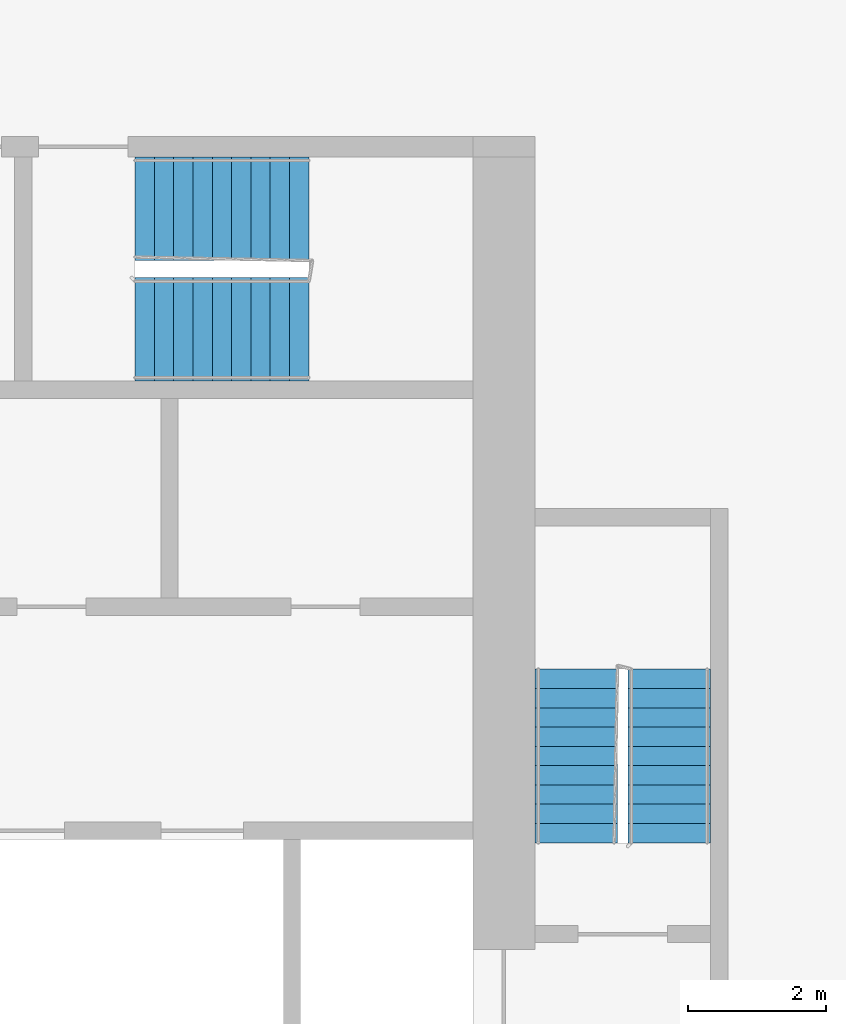
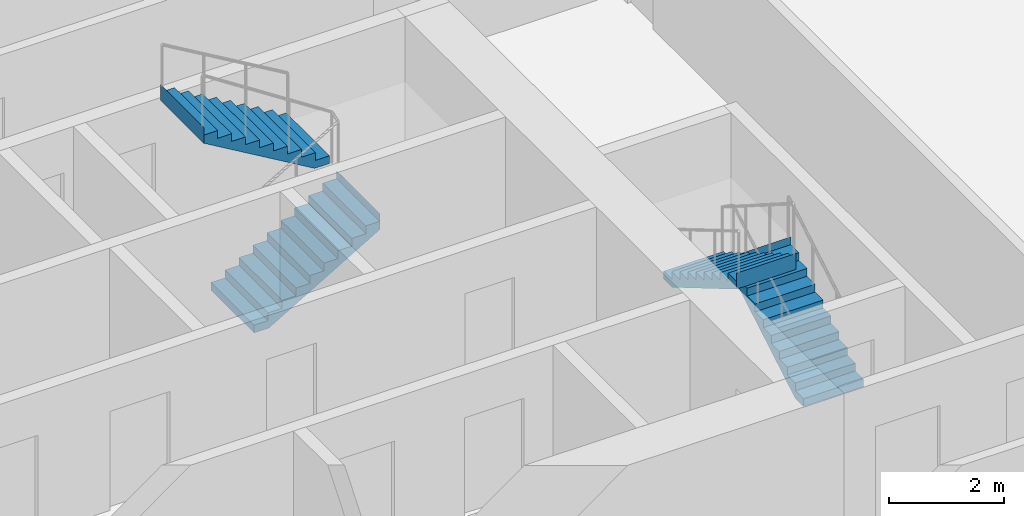
# One storey, part 10 of 11: 4 stair flights, 2 elements without a shape of their own.
"""IFC4 building model written with IfcOpenShell, lengths in metres."""

import ifcopenshell
import ifcopenshell.guid

model = None  # the IFC model being written
_history = None  # IfcOwnerHistory: only IFC2X3 demands one
_inside = {}  # id of a spatial element -> (the spatial element, [elements in it])
_under = {}  # id of a project, library or spatial element -> (it, [spatial elements below it])
_declared = {}  # id of a project -> (the project, [libraries it declares])
_typed = {}  # id of a type object -> (the type object, [elements of that type])
_made_of = {}  # id of a material, layer set ... -> (it, [elements and type objects made of it])


def new_model(schema):
    """Start an empty IFC model of exactly this schema.

    Asked for "IFC4X3", IfcOpenShell would pick the latest addendum, in which some entities
    have other attributes; the version numbers below select the first issue.
    IFC2X3 requires an IfcOwnerHistory on every rooted entity: one is made here for all.
    """
    global model, _history
    if schema == "IFC4X3":
        model = ifcopenshell.file(schema_version=(4, 3, 0, 0))
    else:
        model = ifcopenshell.file(schema=schema)
    _inside.clear()
    _under.clear()
    _declared.clear()
    _typed.clear()
    _made_of.clear()
    _history = None
    if model.schema == "IFC2X3":
        org = make("IfcOrganization", Name="unknown")
        user = make(
            "IfcPersonAndOrganization",
            ThePerson=make("IfcPerson", FamilyName="unknown"),
            TheOrganization=org,
        )
        app = make(
            "IfcApplication",
            ApplicationDeveloper=org,
            Version="unknown",
            ApplicationFullName="unknown",
            ApplicationIdentifier="unknown",
        )
        _history = make(
            "IfcOwnerHistory",
            OwningUser=user,
            OwningApplication=app,
            ChangeAction="ADDED",
            CreationDate=0,
        )
    return model


def make(cls, **values):
    """One entity of the class cls with the attributes given. An attribute that is None is left unset."""
    return model.create_entity(
        cls, **{name: value for name, value in values.items() if value is not None}
    )


def rooted(cls, **values):
    """An entity with a GlobalId (a new one), such as an element, a storey or a relation."""
    return make(cls, GlobalId=ifcopenshell.guid.new(), OwnerHistory=_history, **values)


def si_unit(unit_type, name, prefix=None):
    """IfcSIUnit, for example si_unit("LENGTHUNIT", "METRE", prefix="MILLI")."""
    return make("IfcSIUnit", UnitType=unit_type, Prefix=prefix, Name=name)


def assignment(units):
    """IfcUnitAssignment: the units of a project."""
    return None if units is None else make("IfcUnitAssignment", Units=units)


def point(xyz):
    """IfcCartesianPoint."""
    return None if xyz is None else make("IfcCartesianPoint", Coordinates=xyz)


def direction(xyz):
    """IfcDirection."""
    return None if xyz is None else make("IfcDirection", DirectionRatios=xyz)


def frame(location, z_axis=None, x_axis=None):
    """IfcAxis2Placement3D, a coordinate frame: its origin and axes. An axis left out is left unset."""
    return make(
        "IfcAxis2Placement3D",
        Location=point(location),
        Axis=direction(z_axis),
        RefDirection=direction(x_axis),
    )


def origin():
    """The frame at (0, 0, 0) with its axes left unset."""
    return frame((0.0, 0.0, 0.0))


def place(relative_to, where):
    """IfcLocalPlacement: puts the frame where relative to a parent placement (None: the world)."""
    return make(
        "IfcLocalPlacement", PlacementRelTo=relative_to, RelativePlacement=where
    )


def context(
    kind, dimensions, precision=None, world=None, true_north=None, identifier=None
):
    """IfcGeometricRepresentationContext, for example the 3D "Model" context."""
    return make(
        "IfcGeometricRepresentationContext",
        ContextIdentifier=identifier,
        ContextType=kind,
        CoordinateSpaceDimension=dimensions,
        Precision=precision,
        WorldCoordinateSystem=world,
        TrueNorth=true_north,
    )


def subcontext(parent, identifier, kind, view, scale=None):
    """IfcGeometricRepresentationSubContext, for example "Body" below "Model"."""
    return make(
        "IfcGeometricRepresentationSubContext",
        ContextIdentifier=identifier,
        ContextType=kind,
        ParentContext=parent,
        TargetScale=scale,
        TargetView=view,
    )


def project(units=None, contexts=None):
    """IfcProject with its units and contexts."""
    return rooted(
        "IfcProject",
        Name="project",
        RepresentationContexts=contexts,
        UnitsInContext=assignment(units),
    )


def spatial(cls, under=None, at=None, **own):
    """A site, building, storey or space (cls), placed at a placement, below another one or the project."""
    s = rooted(cls, ObjectPlacement=at, **own)
    if under is not None:
        _under.setdefault(under.id(), (under, []))[1].append(s)
    return s


def faces_of(points, faces, orient=None, outer=None):
    """IfcFace entities. A face is a list of loops; a loop is a list of indices into points, from 0.

    orient and outer hold one flag for each loop. By default every Orientation is true, the
    first loop of a face is its IfcFaceOuterBound and the others are IfcFaceBound.
    """
    made = []
    for i, loops in enumerate(faces):
        bounds = []
        for j, loop in enumerate(loops):
            is_outer = j == 0 if outer is None else outer[i][j]
            bounds.append(
                make(
                    "IfcFaceOuterBound" if is_outer else "IfcFaceBound",
                    Bound=make("IfcPolyLoop", Polygon=[points[k] for k in loop]),
                    Orientation=True if orient is None else orient[i][j],
                )
            )
        made.append(make("IfcFace", Bounds=bounds))
    return made


def faceted_brep(points, faces, orient=None, outer=None, voids=None):
    """IfcFacetedBrep: a solid bounded by flat faces; with voids (closed shells), ...WithVoids."""
    shared = [point(p) for p in points]
    hull = make("IfcClosedShell", CfsFaces=faces_of(shared, faces, orient, outer))
    if voids is None:
        return make("IfcFacetedBrep", Outer=hull)
    return make(
        "IfcFacetedBrepWithVoids",
        Outer=hull,
        Voids=[
            make(cls, CfsFaces=faces_of(shared, fs, o, b)) for cls, fs, o, b in voids
        ],
    )


def shape(context_of_items, identifier, shape_type, items):
    """IfcShapeRepresentation: the items that make up one representation, for example the "Body"."""
    return make(
        "IfcShapeRepresentation",
        ContextOfItems=context_of_items,
        RepresentationIdentifier=identifier,
        RepresentationType=shape_type,
        Items=items,
    )


def material(Name=None, Category=None):
    """IfcMaterial."""
    return make("IfcMaterial", Name=Name, Category=Category)


def made_of(thing, what):
    """Note that an element or type object is made of a material, layer set ...; save() writes the relation."""
    if what is not None:
        _made_of.setdefault(what.id(), (what, []))[1].append(thing)
    return thing


def type_object(cls, material=None, **own):
    """A type object (cls), such as IfcWallType, which elements share."""
    return made_of(rooted(cls, **own), material)


def element(
    cls,
    number,
    at=None,
    inside=None,
    cuts=None,
    type_object=None,
    material=None,
    context=None,
    identifier="Body",
    shape_type=None,
    held_by="IfcProductDefinitionShape",
    body=None,
    shapes=None,
    **own,
):
    """One element of the class cls, such as IfcWall. Its Tag is "e" and its number.

    at: its placement. inside: the storey or other place that contains it. cuts: it is an
    opening in that element (IfcRelVoidsElement). A single representation is given by context,
    identifier, shape_type and body (its items); several are given by shapes. held_by: the class
    of the entity that holds the representations. save() writes the other relations.
    """
    e = rooted(cls, Tag="e%d" % number, ObjectPlacement=at, **own)
    if body is not None:
        shapes = [shape(context, identifier, shape_type, body)]
    if shapes is not None:
        e.Representation = make(held_by, Representations=shapes)
    if inside is not None:
        _inside.setdefault(inside.id(), (inside, []))[1].append(e)
    if cuts is not None:
        rooted(
            "IfcRelVoidsElement", RelatingBuildingElement=cuts, RelatedOpeningElement=e
        )
    if type_object is not None:
        _typed.setdefault(type_object.id(), (type_object, []))[1].append(e)
    return made_of(e, material)


def aggregate(whole, parts):
    """IfcRelAggregates: a whole, such as a stair, and the parts it consists of."""
    return rooted("IfcRelAggregates", RelatingObject=whole, RelatedObjects=parts)


def save(model, path):
    """Write the relations noted so far, then the file.

    IfcRelAggregates (storeys below a building ...), IfcRelContainedInSpatialStructure (elements
    in a storey), IfcRelDefinesByType, IfcRelAssociatesMaterial and IfcRelDeclares: one each for
    every whole, place, type object, material and project.
    """
    for whole, parts in _under.values():
        aggregate(whole, parts)
    for where, things in _inside.values():
        rooted(
            "IfcRelContainedInSpatialStructure",
            RelatedElements=things,
            RelatingStructure=where,
        )
    for kind, things in _typed.values():
        rooted("IfcRelDefinesByType", RelatedObjects=things, RelatingType=kind)
    for what, things in _made_of.values():
        rooted("IfcRelAssociatesMaterial", RelatedObjects=things, RelatingMaterial=what)
    for by, libraries in _declared.values():
        rooted("IfcRelDeclares", RelatingContext=by, RelatedDefinitions=libraries)
    model.write(path)


model = new_model("IFC4")

# Units and contexts
model_context = context("Model", 3, precision=1e-05, world=origin(), true_north=direction((0.0, 1.0)))
body_context = subcontext(model_context, "Body", "Model", "MODEL_VIEW")
ifc_project = project(units=[si_unit("LENGTHUNIT", "METRE"), si_unit("AREAUNIT", "SQUARE_METRE"), si_unit("VOLUMEUNIT", "CUBIC_METRE"), si_unit("PLANEANGLEUNIT", "RADIAN"), si_unit("MASSUNIT", "GRAM", prefix="KILO")], contexts=[model_context])

# Site, building, storey
site_placement = place(None, origin())
site = spatial("IfcSite", under=ifc_project, at=site_placement, CompositionType="ELEMENT")
building_placement = place(site_placement, origin())
building = spatial("IfcBuilding", under=site, at=building_placement, Name="Kajstack Hotel Tower", CompositionType="ELEMENT")
storey_placement = place(building_placement, frame((0.0, 0.0, 224.300048828125)))
storey = spatial("IfcBuildingStorey", under=building, at=storey_placement, Name="L54", CompositionType="ELEMENT", Elevation=224.300048828125)

# Stair, stair flights
ifc_material = material(Name="Concrete C40/50", Category="concrete")
stair_type_1 = type_object("IfcStairType", Name="Exit stair 1200", PredefinedType="HALF_TURN_STAIR", material=ifc_material)
stair_1_placement = place(storey_placement, origin())
stair_1 = element("IfcStair", 1, at=stair_1_placement, inside=storey, type_object=stair_type_1, Name="L54 stair E1", PredefinedType="HALF_TURN_STAIR")
stair_flight_type_1 = type_object("IfcStairFlightType", Name="Exit stair flight 1200", PredefinedType="STRAIGHT", material=ifc_material)
stair_flight_1_placement = place(storey_placement, frame((33.449951171875, 5.25, 0.0), z_axis=(0.0, 0.0, 1.0), x_axis=(0.0, 1.0, 0.0)))
stair_flight_1 = element("IfcStairFlight", 2, at=stair_flight_1_placement, type_object=stair_flight_type_1, Name="E1 flight 1", NumberOfRisers=10, NumberOfTreads=9, PredefinedType="STRAIGHT", RiserHeight=0.165, TreadLength=0.28, context=body_context, shape_type="Brep", body=[
    faceted_brep([(0.295654296875, -0.60009765625, 0.0), (2.5205078125, -0.60009765625, 1.31103515625), (2.5205078125, -0.60009765625, 1.64990234375), (2.52001953125, -0.60009765625, 1.64990234375), (2.52001953125, -0.60009765625, 1.485107421875), (2.239990234375, -0.60009765625, 1.485107421875), (2.239990234375, -0.60009765625, 1.320068359375), (1.9599609375, -0.60009765625, 1.320068359375), (1.9599609375, -0.60009765625, 1.155029296875), (1.679931640625, -0.60009765625, 1.155029296875), (1.679931640625, -0.60009765625, 0.989990234375), (1.39990234375, -0.60009765625, 0.989990234375), (1.39990234375, -0.60009765625, 0.824951171875), (1.1201171875, -0.60009765625, 0.824951171875), (1.1201171875, -0.60009765625, 0.659912109375), (0.840087890625, -0.60009765625, 0.659912109375), (0.840087890625, -0.60009765625, 0.4951171875), (0.56005859375, -0.60009765625, 0.4951171875), (0.56005859375, -0.60009765625, 0.330078125), (0.280029296875, -0.60009765625, 0.330078125), (0.280029296875, -0.60009765625, 0.1650390625), (-0.00048828125, -0.60009765625, 0.1650390625), (-0.00048828125, -0.60009765625, 0.0), (-0.00048828125, 0.60009765625, 0.0), (-0.00048828125, 0.60009765625, 0.1650390625), (0.280029296875, 0.60009765625, 0.1650390625), (0.280029296875, 0.60009765625, 0.330078125), (0.56005859375, 0.60009765625, 0.330078125), (0.56005859375, 0.60009765625, 0.4951171875), (0.840087890625, 0.60009765625, 0.4951171875), (0.840087890625, 0.60009765625, 0.659912109375), (1.1201171875, 0.60009765625, 0.659912109375), (1.1201171875, 0.60009765625, 0.824951171875), (1.39990234375, 0.60009765625, 0.824951171875), (1.39990234375, 0.60009765625, 0.989990234375), (1.679931640625, 0.60009765625, 0.989990234375), (1.679931640625, 0.60009765625, 1.155029296875), (1.9599609375, 0.60009765625, 1.155029296875), (1.9599609375, 0.60009765625, 1.320068359375), (2.239990234375, 0.60009765625, 1.320068359375), (2.239990234375, 0.60009765625, 1.485107421875), (2.52001953125, 0.60009765625, 1.485107421875), (2.52001953125, 0.60009765625, 1.64990234375), (2.5205078125, 0.60009765625, 1.64990234375), (2.5205078125, 0.60009765625, 1.31103515625), (0.295654296875, 0.60009765625, 0.0), (-0.00048828125, -0.300048828125, 0.1650390625), (-0.00048828125, 0.0, 0.1650390625), (-0.00048828125, 0.300048828125, 0.1650390625), (-0.00048828125, 0.300048828125, 0.0), (-0.00048828125, 0.0, 0.0), (-0.00048828125, -0.300048828125, 0.0), (0.280029296875, -0.300048828125, 0.1650390625), (0.280029296875, 0.0, 0.1650390625), (0.280029296875, 0.300048828125, 0.1650390625), (0.280029296875, -0.300048828125, 0.330078125), (0.280029296875, 0.0, 0.330078125), (0.280029296875, 0.300048828125, 0.330078125), (0.56005859375, -0.300048828125, 0.330078125), (0.56005859375, 0.0, 0.330078125), (0.56005859375, 0.300048828125, 0.330078125), (0.56005859375, -0.300048828125, 0.4951171875), (0.56005859375, 0.0, 0.4951171875), (0.56005859375, 0.300048828125, 0.4951171875), (0.840087890625, -0.300048828125, 0.4951171875), (0.840087890625, 0.0, 0.4951171875), (0.840087890625, 0.300048828125, 0.4951171875), (0.840087890625, -0.300048828125, 0.659912109375), (0.840087890625, 0.0, 0.659912109375), (0.840087890625, 0.300048828125, 0.659912109375), (1.1201171875, -0.300048828125, 0.659912109375), (1.1201171875, 0.0, 0.659912109375), (1.1201171875, 0.300048828125, 0.659912109375), (1.1201171875, -0.300048828125, 0.824951171875), (1.1201171875, 0.0, 0.824951171875), (1.1201171875, 0.300048828125, 0.824951171875), (1.39990234375, -0.300048828125, 0.824951171875), (1.39990234375, 0.0, 0.824951171875), (1.39990234375, 0.300048828125, 0.824951171875), (1.39990234375, -0.300048828125, 0.989990234375), (1.39990234375, 0.0, 0.989990234375), (1.39990234375, 0.300048828125, 0.989990234375), (1.679931640625, -0.300048828125, 0.989990234375), (1.679931640625, 0.0, 0.989990234375), (1.679931640625, 0.300048828125, 0.989990234375), (1.679931640625, -0.300048828125, 1.155029296875), (1.679931640625, 0.0, 1.155029296875), (1.679931640625, 0.300048828125, 1.155029296875), (1.9599609375, -0.300048828125, 1.155029296875), (1.9599609375, 0.0, 1.155029296875), (1.9599609375, 0.300048828125, 1.155029296875), (1.9599609375, -0.300048828125, 1.320068359375), (1.9599609375, 0.0, 1.320068359375), (1.9599609375, 0.300048828125, 1.320068359375), (2.239990234375, -0.300048828125, 1.320068359375), (2.239990234375, 0.0, 1.320068359375), (2.239990234375, 0.300048828125, 1.320068359375), (2.239990234375, -0.300048828125, 1.485107421875), (2.239990234375, 0.0, 1.485107421875), (2.239990234375, 0.300048828125, 1.485107421875), (2.52001953125, -0.300048828125, 1.485107421875), (2.52001953125, 0.0, 1.485107421875), (2.52001953125, 0.300048828125, 1.485107421875), (2.52001953125, -0.300048828125, 1.64990234375), (2.52001953125, 0.0, 1.64990234375), (2.52001953125, 0.300048828125, 1.64990234375), (2.5205078125, -0.300048828125, 1.64990234375), (2.5205078125, 0.0, 1.64990234375), (2.5205078125, 0.300048828125, 1.64990234375), (2.5205078125, -0.300048828125, 1.31103515625), (2.5205078125, 0.0, 1.31103515625), (2.5205078125, 0.300048828125, 1.31103515625), (0.295654296875, -0.300048828125, 0.0), (0.295654296875, 0.0, 0.0), (0.295654296875, 0.300048828125, 0.0)], [[[0, 1, 2, 3, 4, 5, 6, 7, 8, 9, 10, 11, 12, 13, 14, 15, 16, 17, 18, 19, 20, 21, 22]], [[23, 24, 25, 26, 27, 28, 29, 30, 31, 32, 33, 34, 35, 36, 37, 38, 39, 40, 41, 42, 43, 44, 45]], [[21, 46, 47, 48, 24, 23, 49, 50, 51, 22]], [[20, 52, 53, 54, 25, 24, 48, 47, 46, 21]], [[19, 55, 56, 57, 26, 25, 54, 53, 52, 20]], [[18, 58, 59, 60, 27, 26, 57, 56, 55, 19]], [[17, 61, 62, 63, 28, 27, 60, 59, 58, 18]], [[16, 64, 65, 66, 29, 28, 63, 62, 61, 17]], [[15, 67, 68, 69, 30, 29, 66, 65, 64, 16]], [[14, 70, 71, 72, 31, 30, 69, 68, 67, 15]], [[13, 73, 74, 75, 32, 31, 72, 71, 70, 14]], [[12, 76, 77, 78, 33, 32, 75, 74, 73, 13]], [[11, 79, 80, 81, 34, 33, 78, 77, 76, 12]], [[10, 82, 83, 84, 35, 34, 81, 80, 79, 11]], [[9, 85, 86, 87, 36, 35, 84, 83, 82, 10]], [[8, 88, 89, 90, 37, 36, 87, 86, 85, 9]], [[7, 91, 92, 93, 38, 37, 90, 89, 88, 8]], [[6, 94, 95, 96, 39, 38, 93, 92, 91, 7]], [[5, 97, 98, 99, 40, 39, 96, 95, 94, 6]], [[4, 100, 101, 102, 41, 40, 99, 98, 97, 5]], [[3, 103, 104, 105, 42, 41, 102, 101, 100, 4]], [[2, 106, 107, 108, 43, 42, 105, 104, 103, 3]], [[1, 109, 110, 111, 44, 43, 108, 107, 106, 2]], [[0, 112, 113, 114, 45, 44, 111, 110, 109, 1]], [[22, 51, 50, 49, 23, 45, 114, 113, 112, 0]]]),
])
stair_flight_2_placement = place(storey_placement, frame((32.10009765625, 7.77001953125, 1.64990234375), z_axis=(0.0, 0.0, 1.0), x_axis=(0.0, -1.0, 0.0)))
stair_flight_2 = element("IfcStairFlight", 3, at=stair_flight_2_placement, type_object=stair_flight_type_1, Name="E1 flight 2", NumberOfRisers=10, NumberOfTreads=9, PredefinedType="STRAIGHT", RiserHeight=0.165, TreadLength=0.28, context=body_context, shape_type="Brep", body=[
    faceted_brep([(0.295654296875, -0.60009765625, 0.0), (2.5205078125, -0.60009765625, 1.31103515625), (2.5205078125, -0.60009765625, 1.64990234375), (2.52001953125, -0.60009765625, 1.64990234375), (2.52001953125, -0.60009765625, 1.485107421875), (2.239990234375, -0.60009765625, 1.485107421875), (2.239990234375, -0.60009765625, 1.320068359375), (1.9599609375, -0.60009765625, 1.320068359375), (1.9599609375, -0.60009765625, 1.155029296875), (1.679931640625, -0.60009765625, 1.155029296875), (1.679931640625, -0.60009765625, 0.989990234375), (1.39990234375, -0.60009765625, 0.989990234375), (1.39990234375, -0.60009765625, 0.824951171875), (1.1201171875, -0.60009765625, 0.824951171875), (1.1201171875, -0.60009765625, 0.659912109375), (0.840087890625, -0.60009765625, 0.659912109375), (0.840087890625, -0.60009765625, 0.4951171875), (0.56005859375, -0.60009765625, 0.4951171875), (0.56005859375, -0.60009765625, 0.330078125), (0.280029296875, -0.60009765625, 0.330078125), (0.280029296875, -0.60009765625, 0.1650390625), (-0.00048828125, -0.60009765625, 0.1650390625), (-0.00048828125, -0.60009765625, 0.0), (-0.00048828125, 0.60009765625, 0.0), (-0.00048828125, 0.60009765625, 0.1650390625), (0.280029296875, 0.60009765625, 0.1650390625), (0.280029296875, 0.60009765625, 0.330078125), (0.56005859375, 0.60009765625, 0.330078125), (0.56005859375, 0.60009765625, 0.4951171875), (0.840087890625, 0.60009765625, 0.4951171875), (0.840087890625, 0.60009765625, 0.659912109375), (1.1201171875, 0.60009765625, 0.659912109375), (1.1201171875, 0.60009765625, 0.824951171875), (1.39990234375, 0.60009765625, 0.824951171875), (1.39990234375, 0.60009765625, 0.989990234375), (1.679931640625, 0.60009765625, 0.989990234375), (1.679931640625, 0.60009765625, 1.155029296875), (1.9599609375, 0.60009765625, 1.155029296875), (1.9599609375, 0.60009765625, 1.320068359375), (2.239990234375, 0.60009765625, 1.320068359375), (2.239990234375, 0.60009765625, 1.485107421875), (2.52001953125, 0.60009765625, 1.485107421875), (2.52001953125, 0.60009765625, 1.64990234375), (2.5205078125, 0.60009765625, 1.64990234375), (2.5205078125, 0.60009765625, 1.31103515625), (0.295654296875, 0.60009765625, 0.0), (-0.00048828125, -0.300048828125, 0.1650390625), (-0.00048828125, 0.0, 0.1650390625), (-0.00048828125, 0.300048828125, 0.1650390625), (-0.00048828125, 0.300048828125, 0.0), (-0.00048828125, 0.0, 0.0), (-0.00048828125, -0.300048828125, 0.0), (0.280029296875, -0.300048828125, 0.1650390625), (0.280029296875, 0.0, 0.1650390625), (0.280029296875, 0.300048828125, 0.1650390625), (0.280029296875, -0.300048828125, 0.330078125), (0.280029296875, 0.0, 0.330078125), (0.280029296875, 0.300048828125, 0.330078125), (0.56005859375, -0.300048828125, 0.330078125), (0.56005859375, 0.0, 0.330078125), (0.56005859375, 0.300048828125, 0.330078125), (0.56005859375, -0.300048828125, 0.4951171875), (0.56005859375, 0.0, 0.4951171875), (0.56005859375, 0.300048828125, 0.4951171875), (0.840087890625, -0.300048828125, 0.4951171875), (0.840087890625, 0.0, 0.4951171875), (0.840087890625, 0.300048828125, 0.4951171875), (0.840087890625, -0.300048828125, 0.659912109375), (0.840087890625, 0.0, 0.659912109375), (0.840087890625, 0.300048828125, 0.659912109375), (1.1201171875, -0.300048828125, 0.659912109375), (1.1201171875, 0.0, 0.659912109375), (1.1201171875, 0.300048828125, 0.659912109375), (1.1201171875, -0.300048828125, 0.824951171875), (1.1201171875, 0.0, 0.824951171875), (1.1201171875, 0.300048828125, 0.824951171875), (1.39990234375, -0.300048828125, 0.824951171875), (1.39990234375, 0.0, 0.824951171875), (1.39990234375, 0.300048828125, 0.824951171875), (1.39990234375, -0.300048828125, 0.989990234375), (1.39990234375, 0.0, 0.989990234375), (1.39990234375, 0.300048828125, 0.989990234375), (1.679931640625, -0.300048828125, 0.989990234375), (1.679931640625, 0.0, 0.989990234375), (1.679931640625, 0.300048828125, 0.989990234375), (1.679931640625, -0.300048828125, 1.155029296875), (1.679931640625, 0.0, 1.155029296875), (1.679931640625, 0.300048828125, 1.155029296875), (1.9599609375, -0.300048828125, 1.155029296875), (1.9599609375, 0.0, 1.155029296875), (1.9599609375, 0.300048828125, 1.155029296875), (1.9599609375, -0.300048828125, 1.320068359375), (1.9599609375, 0.0, 1.320068359375), (1.9599609375, 0.300048828125, 1.320068359375), (2.239990234375, -0.300048828125, 1.320068359375), (2.239990234375, 0.0, 1.320068359375), (2.239990234375, 0.300048828125, 1.320068359375), (2.239990234375, -0.300048828125, 1.485107421875), (2.239990234375, 0.0, 1.485107421875), (2.239990234375, 0.300048828125, 1.485107421875), (2.52001953125, -0.300048828125, 1.485107421875), (2.52001953125, 0.0, 1.485107421875), (2.52001953125, 0.300048828125, 1.485107421875), (2.52001953125, -0.300048828125, 1.64990234375), (2.52001953125, 0.0, 1.64990234375), (2.52001953125, 0.300048828125, 1.64990234375), (2.5205078125, -0.300048828125, 1.64990234375), (2.5205078125, 0.0, 1.64990234375), (2.5205078125, 0.300048828125, 1.64990234375), (2.5205078125, -0.300048828125, 1.31103515625), (2.5205078125, 0.0, 1.31103515625), (2.5205078125, 0.300048828125, 1.31103515625), (0.295654296875, -0.300048828125, 0.0), (0.295654296875, 0.0, 0.0), (0.295654296875, 0.300048828125, 0.0)], [[[0, 1, 2, 3, 4, 5, 6, 7, 8, 9, 10, 11, 12, 13, 14, 15, 16, 17, 18, 19, 20, 21, 22]], [[23, 24, 25, 26, 27, 28, 29, 30, 31, 32, 33, 34, 35, 36, 37, 38, 39, 40, 41, 42, 43, 44, 45]], [[21, 46, 47, 48, 24, 23, 49, 50, 51, 22]], [[20, 52, 53, 54, 25, 24, 48, 47, 46, 21]], [[19, 55, 56, 57, 26, 25, 54, 53, 52, 20]], [[18, 58, 59, 60, 27, 26, 57, 56, 55, 19]], [[17, 61, 62, 63, 28, 27, 60, 59, 58, 18]], [[16, 64, 65, 66, 29, 28, 63, 62, 61, 17]], [[15, 67, 68, 69, 30, 29, 66, 65, 64, 16]], [[14, 70, 71, 72, 31, 30, 69, 68, 67, 15]], [[13, 73, 74, 75, 32, 31, 72, 71, 70, 14]], [[12, 76, 77, 78, 33, 32, 75, 74, 73, 13]], [[11, 79, 80, 81, 34, 33, 78, 77, 76, 12]], [[10, 82, 83, 84, 35, 34, 81, 80, 79, 11]], [[9, 85, 86, 87, 36, 35, 84, 83, 82, 10]], [[8, 88, 89, 90, 37, 36, 87, 86, 85, 9]], [[7, 91, 92, 93, 38, 37, 90, 89, 88, 8]], [[6, 94, 95, 96, 39, 38, 93, 92, 91, 7]], [[5, 97, 98, 99, 40, 39, 96, 95, 94, 6]], [[4, 100, 101, 102, 41, 40, 99, 98, 97, 5]], [[3, 103, 104, 105, 42, 41, 102, 101, 100, 4]], [[2, 106, 107, 108, 43, 42, 105, 104, 103, 3]], [[1, 109, 110, 111, 44, 43, 108, 107, 106, 2]], [[0, 112, 113, 114, 45, 44, 111, 110, 109, 1]], [[22, 51, 50, 49, 23, 45, 114, 113, 112, 0]]]),
])
aggregate(stair_1, [stair_flight_1, stair_flight_2])

stair_type_2 = type_object("IfcStairType", Name="Exit stair 1500", PredefinedType="HALF_TURN_STAIR", material=ifc_material)
stair_2_placement = place(storey_placement, origin())
stair_2 = element("IfcStair", 4, at=stair_2_placement, inside=storey, type_object=stair_type_2, Name="L54 stair E3", PredefinedType="HALF_TURN_STAIR")
stair_flight_type_2 = type_object("IfcStairFlightType", Name="Exit stair flight 1500", PredefinedType="STRAIGHT", material=ifc_material)
stair_flight_3_placement = place(storey_placement, frame((25.699951171875, 12.699951171875, 0.0), z_axis=(0.0, 0.0, 1.0), x_axis=(1.0, 0.0, 0.0)))
stair_flight_3 = element("IfcStairFlight", 5, at=stair_flight_3_placement, type_object=stair_flight_type_2, Name="E3 flight 1", NumberOfRisers=10, NumberOfTreads=9, PredefinedType="STRAIGHT", RiserHeight=0.165, TreadLength=0.28, context=body_context, shape_type="Brep", body=[
    faceted_brep([(0.295654296875, -0.75, 0.0), (2.5205078125, -0.75, 1.31103515625), (2.5205078125, -0.75, 1.64990234375), (2.52001953125, -0.75, 1.64990234375), (2.52001953125, -0.75, 1.485107421875), (2.239990234375, -0.75, 1.485107421875), (2.239990234375, -0.75, 1.320068359375), (1.9599609375, -0.75, 1.320068359375), (1.9599609375, -0.75, 1.155029296875), (1.679931640625, -0.75, 1.155029296875), (1.679931640625, -0.75, 0.989990234375), (1.39990234375, -0.75, 0.989990234375), (1.39990234375, -0.75, 0.824951171875), (1.1201171875, -0.75, 0.824951171875), (1.1201171875, -0.75, 0.659912109375), (0.840087890625, -0.75, 0.659912109375), (0.840087890625, -0.75, 0.4951171875), (0.56005859375, -0.75, 0.4951171875), (0.56005859375, -0.75, 0.330078125), (0.280029296875, -0.75, 0.330078125), (0.280029296875, -0.75, 0.1650390625), (-0.00048828125, -0.75, 0.1650390625), (-0.00048828125, -0.75, 0.0), (-0.00048828125, 0.75, 0.0), (-0.00048828125, 0.75, 0.1650390625), (0.280029296875, 0.75, 0.1650390625), (0.280029296875, 0.75, 0.330078125), (0.56005859375, 0.75, 0.330078125), (0.56005859375, 0.75, 0.4951171875), (0.840087890625, 0.75, 0.4951171875), (0.840087890625, 0.75, 0.659912109375), (1.1201171875, 0.75, 0.659912109375), (1.1201171875, 0.75, 0.824951171875), (1.39990234375, 0.75, 0.824951171875), (1.39990234375, 0.75, 0.989990234375), (1.679931640625, 0.75, 0.989990234375), (1.679931640625, 0.75, 1.155029296875), (1.9599609375, 0.75, 1.155029296875), (1.9599609375, 0.75, 1.320068359375), (2.239990234375, 0.75, 1.320068359375), (2.239990234375, 0.75, 1.485107421875), (2.52001953125, 0.75, 1.485107421875), (2.52001953125, 0.75, 1.64990234375), (2.5205078125, 0.75, 1.64990234375), (2.5205078125, 0.75, 1.31103515625), (0.295654296875, 0.75, 0.0), (-0.00048828125, -0.375, 0.1650390625), (-0.00048828125, 0.0, 0.1650390625), (-0.00048828125, 0.375, 0.1650390625), (-0.00048828125, 0.375, 0.0), (-0.00048828125, 0.0, 0.0), (-0.00048828125, -0.375, 0.0), (0.280029296875, -0.375, 0.1650390625), (0.280029296875, 0.0, 0.1650390625), (0.280029296875, 0.375, 0.1650390625), (0.280029296875, -0.375, 0.330078125), (0.280029296875, 0.0, 0.330078125), (0.280029296875, 0.375, 0.330078125), (0.56005859375, -0.375, 0.330078125), (0.56005859375, 0.0, 0.330078125), (0.56005859375, 0.375, 0.330078125), (0.56005859375, -0.375, 0.4951171875), (0.56005859375, 0.0, 0.4951171875), (0.56005859375, 0.375, 0.4951171875), (0.840087890625, -0.375, 0.4951171875), (0.840087890625, 0.0, 0.4951171875), (0.840087890625, 0.375, 0.4951171875), (0.840087890625, -0.375, 0.659912109375), (0.840087890625, 0.0, 0.659912109375), (0.840087890625, 0.375, 0.659912109375), (1.1201171875, -0.375, 0.659912109375), (1.1201171875, 0.0, 0.659912109375), (1.1201171875, 0.375, 0.659912109375), (1.1201171875, -0.375, 0.824951171875), (1.1201171875, 0.0, 0.824951171875), (1.1201171875, 0.375, 0.824951171875), (1.39990234375, -0.375, 0.824951171875), (1.39990234375, 0.0, 0.824951171875), (1.39990234375, 0.375, 0.824951171875), (1.39990234375, -0.375, 0.989990234375), (1.39990234375, 0.0, 0.989990234375), (1.39990234375, 0.375, 0.989990234375), (1.679931640625, -0.375, 0.989990234375), (1.679931640625, 0.0, 0.989990234375), (1.679931640625, 0.375, 0.989990234375), (1.679931640625, -0.375, 1.155029296875), (1.679931640625, 0.0, 1.155029296875), (1.679931640625, 0.375, 1.155029296875), (1.9599609375, -0.375, 1.155029296875), (1.9599609375, 0.0, 1.155029296875), (1.9599609375, 0.375, 1.155029296875), (1.9599609375, -0.375, 1.320068359375), (1.9599609375, 0.0, 1.320068359375), (1.9599609375, 0.375, 1.320068359375), (2.239990234375, -0.375, 1.320068359375), (2.239990234375, 0.0, 1.320068359375), (2.239990234375, 0.375, 1.320068359375), (2.239990234375, -0.375, 1.485107421875), (2.239990234375, 0.0, 1.485107421875), (2.239990234375, 0.375, 1.485107421875), (2.52001953125, -0.375, 1.485107421875), (2.52001953125, 0.0, 1.485107421875), (2.52001953125, 0.375, 1.485107421875), (2.52001953125, -0.375, 1.64990234375), (2.52001953125, 0.0, 1.64990234375), (2.52001953125, 0.375, 1.64990234375), (2.5205078125, -0.375, 1.64990234375), (2.5205078125, 0.0, 1.64990234375), (2.5205078125, 0.375, 1.64990234375), (2.5205078125, -0.375, 1.31103515625), (2.5205078125, 0.0, 1.31103515625), (2.5205078125, 0.375, 1.31103515625), (0.295654296875, -0.375, 0.0), (0.295654296875, 0.0, 0.0), (0.295654296875, 0.375, 0.0)], [[[0, 1, 2, 3, 4, 5, 6, 7, 8, 9, 10, 11, 12, 13, 14, 15, 16, 17, 18, 19, 20, 21, 22]], [[23, 24, 25, 26, 27, 28, 29, 30, 31, 32, 33, 34, 35, 36, 37, 38, 39, 40, 41, 42, 43, 44, 45]], [[21, 46, 47, 48, 24, 23, 49, 50, 51, 22]], [[20, 52, 53, 54, 25, 24, 48, 47, 46, 21]], [[19, 55, 56, 57, 26, 25, 54, 53, 52, 20]], [[18, 58, 59, 60, 27, 26, 57, 56, 55, 19]], [[17, 61, 62, 63, 28, 27, 60, 59, 58, 18]], [[16, 64, 65, 66, 29, 28, 63, 62, 61, 17]], [[15, 67, 68, 69, 30, 29, 66, 65, 64, 16]], [[14, 70, 71, 72, 31, 30, 69, 68, 67, 15]], [[13, 73, 74, 75, 32, 31, 72, 71, 70, 14]], [[12, 76, 77, 78, 33, 32, 75, 74, 73, 13]], [[11, 79, 80, 81, 34, 33, 78, 77, 76, 12]], [[10, 82, 83, 84, 35, 34, 81, 80, 79, 11]], [[9, 85, 86, 87, 36, 35, 84, 83, 82, 10]], [[8, 88, 89, 90, 37, 36, 87, 86, 85, 9]], [[7, 91, 92, 93, 38, 37, 90, 89, 88, 8]], [[6, 94, 95, 96, 39, 38, 93, 92, 91, 7]], [[5, 97, 98, 99, 40, 39, 96, 95, 94, 6]], [[4, 100, 101, 102, 41, 40, 99, 98, 97, 5]], [[3, 103, 104, 105, 42, 41, 102, 101, 100, 4]], [[2, 106, 107, 108, 43, 42, 105, 104, 103, 3]], [[1, 109, 110, 111, 44, 43, 108, 107, 106, 2]], [[0, 112, 113, 114, 45, 44, 111, 110, 109, 1]], [[22, 51, 50, 49, 23, 45, 114, 113, 112, 0]]]),
])
stair_flight_4_placement = place(storey_placement, frame((28.219970703125, 14.449951171875, 1.64990234375), z_axis=(0.0, 0.0, 1.0), x_axis=(-1.0, 0.0, 0.0)))
stair_flight_4 = element("IfcStairFlight", 6, at=stair_flight_4_placement, type_object=stair_flight_type_2, Name="E3 flight 2", NumberOfRisers=10, NumberOfTreads=9, PredefinedType="STRAIGHT", RiserHeight=0.165, TreadLength=0.28, context=body_context, shape_type="Brep", body=[
    faceted_brep([(0.295654296875, -0.75, 0.0), (2.5205078125, -0.75, 1.31103515625), (2.5205078125, -0.75, 1.64990234375), (2.52001953125, -0.75, 1.64990234375), (2.52001953125, -0.75, 1.485107421875), (2.239990234375, -0.75, 1.485107421875), (2.239990234375, -0.75, 1.320068359375), (1.9599609375, -0.75, 1.320068359375), (1.9599609375, -0.75, 1.155029296875), (1.679931640625, -0.75, 1.155029296875), (1.679931640625, -0.75, 0.989990234375), (1.39990234375, -0.75, 0.989990234375), (1.39990234375, -0.75, 0.824951171875), (1.1201171875, -0.75, 0.824951171875), (1.1201171875, -0.75, 0.659912109375), (0.840087890625, -0.75, 0.659912109375), (0.840087890625, -0.75, 0.4951171875), (0.56005859375, -0.75, 0.4951171875), (0.56005859375, -0.75, 0.330078125), (0.280029296875, -0.75, 0.330078125), (0.280029296875, -0.75, 0.1650390625), (-0.00048828125, -0.75, 0.1650390625), (-0.00048828125, -0.75, 0.0), (-0.00048828125, 0.75, 0.0), (-0.00048828125, 0.75, 0.1650390625), (0.280029296875, 0.75, 0.1650390625), (0.280029296875, 0.75, 0.330078125), (0.56005859375, 0.75, 0.330078125), (0.56005859375, 0.75, 0.4951171875), (0.840087890625, 0.75, 0.4951171875), (0.840087890625, 0.75, 0.659912109375), (1.1201171875, 0.75, 0.659912109375), (1.1201171875, 0.75, 0.824951171875), (1.39990234375, 0.75, 0.824951171875), (1.39990234375, 0.75, 0.989990234375), (1.679931640625, 0.75, 0.989990234375), (1.679931640625, 0.75, 1.155029296875), (1.9599609375, 0.75, 1.155029296875), (1.9599609375, 0.75, 1.320068359375), (2.239990234375, 0.75, 1.320068359375), (2.239990234375, 0.75, 1.485107421875), (2.52001953125, 0.75, 1.485107421875), (2.52001953125, 0.75, 1.64990234375), (2.5205078125, 0.75, 1.64990234375), (2.5205078125, 0.75, 1.31103515625), (0.295654296875, 0.75, 0.0), (-0.00048828125, -0.375, 0.1650390625), (-0.00048828125, 0.0, 0.1650390625), (-0.00048828125, 0.375, 0.1650390625), (-0.00048828125, 0.375, 0.0), (-0.00048828125, 0.0, 0.0), (-0.00048828125, -0.375, 0.0), (0.280029296875, -0.375, 0.1650390625), (0.280029296875, 0.0, 0.1650390625), (0.280029296875, 0.375, 0.1650390625), (0.280029296875, -0.375, 0.330078125), (0.280029296875, 0.0, 0.330078125), (0.280029296875, 0.375, 0.330078125), (0.56005859375, -0.375, 0.330078125), (0.56005859375, 0.0, 0.330078125), (0.56005859375, 0.375, 0.330078125), (0.56005859375, -0.375, 0.4951171875), (0.56005859375, 0.0, 0.4951171875), (0.56005859375, 0.375, 0.4951171875), (0.840087890625, -0.375, 0.4951171875), (0.840087890625, 0.0, 0.4951171875), (0.840087890625, 0.375, 0.4951171875), (0.840087890625, -0.375, 0.659912109375), (0.840087890625, 0.0, 0.659912109375), (0.840087890625, 0.375, 0.659912109375), (1.1201171875, -0.375, 0.659912109375), (1.1201171875, 0.0, 0.659912109375), (1.1201171875, 0.375, 0.659912109375), (1.1201171875, -0.375, 0.824951171875), (1.1201171875, 0.0, 0.824951171875), (1.1201171875, 0.375, 0.824951171875), (1.39990234375, -0.375, 0.824951171875), (1.39990234375, 0.0, 0.824951171875), (1.39990234375, 0.375, 0.824951171875), (1.39990234375, -0.375, 0.989990234375), (1.39990234375, 0.0, 0.989990234375), (1.39990234375, 0.375, 0.989990234375), (1.679931640625, -0.375, 0.989990234375), (1.679931640625, 0.0, 0.989990234375), (1.679931640625, 0.375, 0.989990234375), (1.679931640625, -0.375, 1.155029296875), (1.679931640625, 0.0, 1.155029296875), (1.679931640625, 0.375, 1.155029296875), (1.9599609375, -0.375, 1.155029296875), (1.9599609375, 0.0, 1.155029296875), (1.9599609375, 0.375, 1.155029296875), (1.9599609375, -0.375, 1.320068359375), (1.9599609375, 0.0, 1.320068359375), (1.9599609375, 0.375, 1.320068359375), (2.239990234375, -0.375, 1.320068359375), (2.239990234375, 0.0, 1.320068359375), (2.239990234375, 0.375, 1.320068359375), (2.239990234375, -0.375, 1.485107421875), (2.239990234375, 0.0, 1.485107421875), (2.239990234375, 0.375, 1.485107421875), (2.52001953125, -0.375, 1.485107421875), (2.52001953125, 0.0, 1.485107421875), (2.52001953125, 0.375, 1.485107421875), (2.52001953125, -0.375, 1.64990234375), (2.52001953125, 0.0, 1.64990234375), (2.52001953125, 0.375, 1.64990234375), (2.5205078125, -0.375, 1.64990234375), (2.5205078125, 0.0, 1.64990234375), (2.5205078125, 0.375, 1.64990234375), (2.5205078125, -0.375, 1.31103515625), (2.5205078125, 0.0, 1.31103515625), (2.5205078125, 0.375, 1.31103515625), (0.295654296875, -0.375, 0.0), (0.295654296875, 0.0, 0.0), (0.295654296875, 0.375, 0.0)], [[[0, 1, 2, 3, 4, 5, 6, 7, 8, 9, 10, 11, 12, 13, 14, 15, 16, 17, 18, 19, 20, 21, 22]], [[23, 24, 25, 26, 27, 28, 29, 30, 31, 32, 33, 34, 35, 36, 37, 38, 39, 40, 41, 42, 43, 44, 45]], [[21, 46, 47, 48, 24, 23, 49, 50, 51, 22]], [[20, 52, 53, 54, 25, 24, 48, 47, 46, 21]], [[19, 55, 56, 57, 26, 25, 54, 53, 52, 20]], [[18, 58, 59, 60, 27, 26, 57, 56, 55, 19]], [[17, 61, 62, 63, 28, 27, 60, 59, 58, 18]], [[16, 64, 65, 66, 29, 28, 63, 62, 61, 17]], [[15, 67, 68, 69, 30, 29, 66, 65, 64, 16]], [[14, 70, 71, 72, 31, 30, 69, 68, 67, 15]], [[13, 73, 74, 75, 32, 31, 72, 71, 70, 14]], [[12, 76, 77, 78, 33, 32, 75, 74, 73, 13]], [[11, 79, 80, 81, 34, 33, 78, 77, 76, 12]], [[10, 82, 83, 84, 35, 34, 81, 80, 79, 11]], [[9, 85, 86, 87, 36, 35, 84, 83, 82, 10]], [[8, 88, 89, 90, 37, 36, 87, 86, 85, 9]], [[7, 91, 92, 93, 38, 37, 90, 89, 88, 8]], [[6, 94, 95, 96, 39, 38, 93, 92, 91, 7]], [[5, 97, 98, 99, 40, 39, 96, 95, 94, 6]], [[4, 100, 101, 102, 41, 40, 99, 98, 97, 5]], [[3, 103, 104, 105, 42, 41, 102, 101, 100, 4]], [[2, 106, 107, 108, 43, 42, 105, 104, 103, 3]], [[1, 109, 110, 111, 44, 43, 108, 107, 106, 2]], [[0, 112, 113, 114, 45, 44, 111, 110, 109, 1]], [[22, 51, 50, 49, 23, 45, 114, 113, 112, 0]]]),
])
aggregate(stair_2, [stair_flight_3, stair_flight_4])

save(model, "model.ifc")
